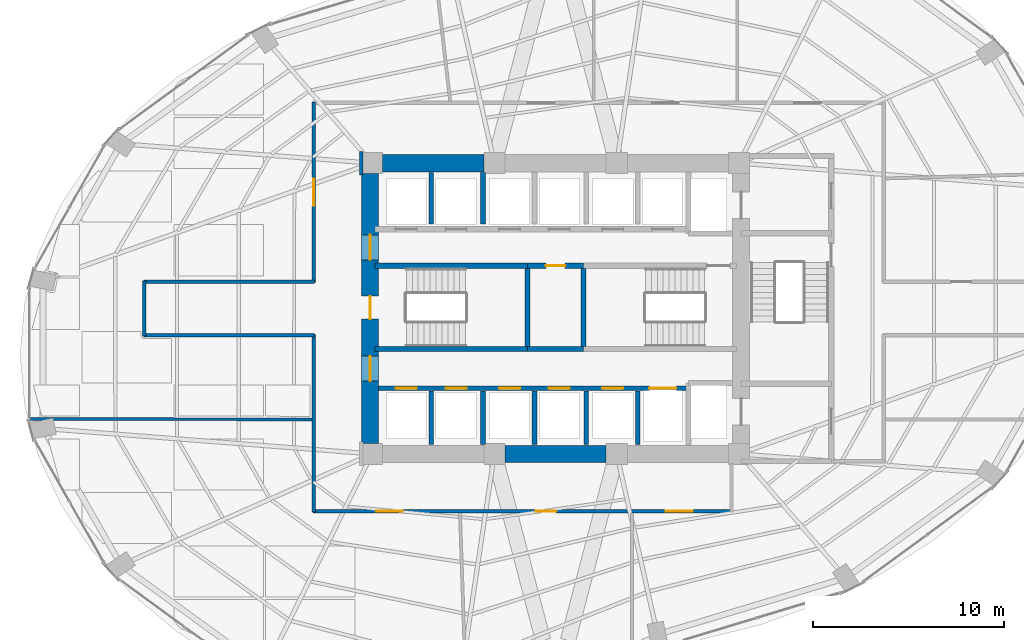
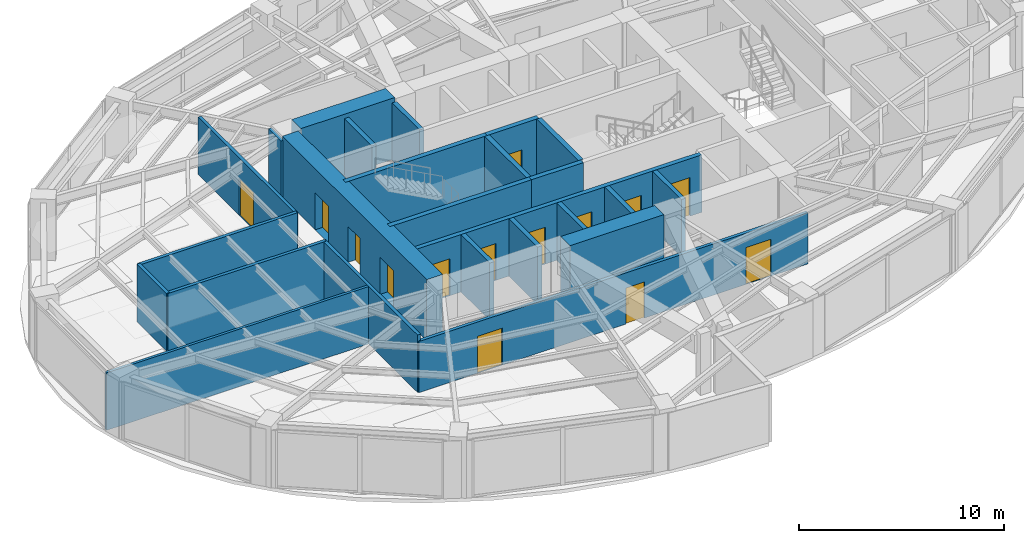
# One storey, part 20 of 24: 25 walls, 14 doors, 14 openings.
"""IFC4 building model written with IfcOpenShell, lengths in metres."""

from ifc_helpers import new_model, si_unit, direction, frame, frame_2d, origin, place, context, subcontext, project, spatial, rectangle, extrude, material, layer, layer_set, type_object, element, fill, save


model = new_model("IFC4")

# Units and contexts
model_context = context("Model", 3, precision=1e-05, world=origin(), true_north=direction((0.0, 1.0)))
body_context = subcontext(model_context, "Body", "Model", "MODEL_VIEW")
ifc_project = project(units=[si_unit("LENGTHUNIT", "METRE"), si_unit("AREAUNIT", "SQUARE_METRE"), si_unit("VOLUMEUNIT", "CUBIC_METRE"), si_unit("PLANEANGLEUNIT", "RADIAN"), si_unit("MASSUNIT", "GRAM", prefix="KILO")], contexts=[model_context])

# Site, building, storey
site_placement = place(None, origin())
site = spatial("IfcSite", under=ifc_project, at=site_placement, CompositionType="ELEMENT")
building_placement = place(site_placement, origin())
building = spatial("IfcBuilding", under=site, at=building_placement, Name="Lazwardi Medical Tower", CompositionType="ELEMENT")
storey_placement = place(building_placement, frame((0.0, 0.0, 68.97607421875)))
storey = spatial("IfcBuildingStorey", under=building, at=storey_placement, Name="L17", CompositionType="ELEMENT", Elevation=68.97607421875)

# Walls
ifc_material_1 = material(Name="Fire-rated gypsum board on steel stud", Category="steel")
ifc_layer_1 = layer(ifc_material_1, 0.179931640625)
ifc_layer_set_1 = layer_set([ifc_layer_1], Name="Fire-rated gypsum board on steel stud")
wall_type_1 = type_object("IfcWallType", Name="WL-COR-180", PredefinedType="PARTITIONING", material=ifc_layer_set_1)
wall_1_placement = place(storey_placement, frame((14.5, 26.56005859375, 0.0), z_axis=(0.0, 0.0, 1.0), x_axis=(0.0, 1.0, 0.0)))
element("IfcWall", 1, at=wall_1_placement, inside=storey, type_object=wall_type_1, Name="L17 Corridor partition 1", PredefinedType="PARTITIONING", context=body_context, shape_type="SweptSolid", body=[
    extrude(rectangle(XDim=2.8798828125, YDim=0.179931640625, at=frame_2d((1.43994140625, 0.0))), origin(), (0.0, 0.0, 1.0), 3.427978515625),
])
wall_2_placement = place(storey_placement, frame((14.4599609375, 29.39990234375, 0.0), z_axis=(0.0, 0.0, 1.0), x_axis=(1.0, 0.0, 0.0)))
element("IfcWall", 2, at=wall_2_placement, inside=storey, type_object=wall_type_1, Name="L17 Corridor partition 2", PredefinedType="PARTITIONING", context=body_context, shape_type="SweptSolid", body=[
    extrude(rectangle(XDim=8.929931640625, YDim=0.179931640625, at=frame_2d((4.46484375, 0.0))), origin(), (0.0, 0.0, 1.0), 3.427978515625),
])

# Wall, opening, door
wall_3_placement = place(storey_placement, frame((23.35009765625, 29.360107421875, 0.0), z_axis=(0.0, 0.0, 1.0), x_axis=(0.0, 1.0, 0.0)))
wall_3 = element("IfcWall", 3, at=wall_3_placement, inside=storey, type_object=wall_type_1, Name="L17 Corridor partition 3", PredefinedType="PARTITIONING", context=body_context, shape_type="SweptSolid", body=[
    extrude(rectangle(XDim=9.429931640625, YDim=0.179931640625, at=frame_2d((4.71484375, 0.0))), origin(), (0.0, 0.0, 1.0), 3.427978515625),
])
opening_1_placement = place(wall_3_placement, frame((4.014892578125, 0.0, 0.0)))
opening_1 = element("IfcOpeningElement", 4, at=opening_1_placement, cuts=wall_3, Name="Opening D-L17-013", PredefinedType="OPENING", context=body_context, shape_type="SweptSolid", body=[
    extrude(rectangle(XDim=1.39990234375, YDim=2.199951171875, at=frame_2d((0.699951171875, 1.10009765625))), frame((0.0, 0.099853515625, 0.0), z_axis=(0.0, -1.0, 0.0), x_axis=(1.0, 0.0, 0.0)), (0.0, 0.0, 1.0), 0.199951171875),
])
ifc_material_2 = material(Name="Anti-microbial laminate hospital leaf")
door_type_1 = type_object("IfcDoorType", Name="DR-BED-1400", OperationType="NOTDEFINED", PredefinedType="DOOR", material=ifc_material_2)
door_1_placement = place(opening_1_placement, origin())
door_1 = element("IfcDoor", 5, at=door_1_placement, inside=storey, type_object=door_type_1, Name="L17 Rehabilitation Gymnasium Door 08", OperationType="SINGLE_SWING_RIGHT", OverallHeight=2.199951171875, OverallWidth=1.39990234375, PredefinedType="DOOR", context=body_context, shape_type="SweptSolid", body=[
    extrude(rectangle(XDim=1.39990234375, YDim=2.199951171875, at=frame_2d((0.699951171875, 1.10009765625))), frame((0.0, 0.02490234375, 0.0), z_axis=(0.0, -1.0, 0.0), x_axis=(1.0, 0.0, 0.0)), (0.0, 0.0, 1.0), 0.050048828125),
])
fill(opening_1, door_1)

# Wall
wall_4_placement = place(storey_placement, frame((25.830078125, 36.2099609375, 0.0), z_axis=(0.0, 0.0, 1.0), x_axis=(0.0, -1.0, 0.0)))
element("IfcWall", 6, at=wall_4_placement, inside=storey, type_object=wall_type_1, Name="L17 Corridor partition 12", PredefinedType="PARTITIONING", context=body_context, shape_type="SweptSolid", body=[
    extrude(rectangle(XDim=1.219970703125, YDim=0.179931640625, at=frame_2d((0.60986328125, 0.0))), origin(), (0.0, 0.0, 1.0), 3.427978515625),
])

# Wall, openings, doors
wall_5_placement = place(storey_placement, frame((45.239990234375, 17.39990234375, 0.0), z_axis=(0.0, 0.0, 1.0), x_axis=(-1.0, 0.0, 0.0)))
wall_5 = element("IfcWall", 7, at=wall_5_placement, inside=storey, type_object=wall_type_1, Name="L17 Corridor partition 15", PredefinedType="PARTITIONING", context=body_context, shape_type="SweptSolid", body=[
    extrude(rectangle(XDim=21.929931640625, YDim=0.179931640625, at=frame_2d((10.96484375, 0.0))), origin(), (0.0, 0.0, 1.0), 3.052978515625),
])
opening_2_placement = place(wall_5_placement, frame((17.224609375, 0.0, 0.0)))
opening_2 = element("IfcOpeningElement", 8, at=opening_2_placement, cuts=wall_5, Name="Opening D-L17-006", PredefinedType="OPENING", context=body_context, shape_type="SweptSolid", body=[
    extrude(rectangle(XDim=1.39990234375, YDim=2.199951171875, at=frame_2d((0.699951171875, 1.10009765625))), frame((0.0, 0.099853515625, 0.0), z_axis=(0.0, -1.0, 0.0), x_axis=(1.0, 0.0, 0.0)), (0.0, 0.0, 1.0), 0.199951171875),
])
opening_3_placement = place(wall_5_placement, frame((9.213623046875, 0.0, 0.0)))
opening_3 = element("IfcOpeningElement", 9, at=opening_3_placement, cuts=wall_5, Name="Opening D-L17-007", PredefinedType="OPENING", context=body_context, shape_type="SweptSolid", body=[
    extrude(rectangle(XDim=1.050048828125, YDim=2.14990234375, at=frame_2d((0.52490234375, 1.074951171875))), frame((0.0, 0.099853515625, 0.0), z_axis=(0.0, -1.0, 0.0), x_axis=(1.0, 0.0, 0.0)), (0.0, 0.0, 1.0), 0.199951171875),
])
opening_4_placement = place(wall_5_placement, frame((2.0791015625, 0.0, 0.0)))
opening_4 = element("IfcOpeningElement", 10, at=opening_4_placement, cuts=wall_5, Name="Opening D-L17-008", PredefinedType="OPENING", context=body_context, shape_type="SweptSolid", body=[
    extrude(rectangle(XDim=1.39990234375, YDim=2.199951171875, at=frame_2d((0.699951171875, 1.10009765625))), frame((0.0, 0.099853515625, 0.0), z_axis=(0.0, -1.0, 0.0), x_axis=(1.0, 0.0, 0.0)), (0.0, 0.0, 1.0), 0.199951171875),
])
door_2_placement = place(opening_2_placement, origin())
door_2 = element("IfcDoor", 11, at=door_2_placement, inside=storey, type_object=door_type_1, Name="L17 Rehabilitation Gymnasium Door 01", OperationType="SINGLE_SWING_LEFT", OverallHeight=2.199951171875, OverallWidth=1.39990234375, PredefinedType="DOOR", context=body_context, shape_type="SweptSolid", body=[
    extrude(rectangle(XDim=1.39990234375, YDim=2.199951171875, at=frame_2d((0.699951171875, 1.10009765625))), frame((0.0, 0.02490234375, 0.0), z_axis=(0.0, -1.0, 0.0), x_axis=(1.0, 0.0, 0.0)), (0.0, 0.0, 1.0), 0.050048828125),
])
fill(opening_2, door_2)
door_3_placement = place(opening_4_placement, origin())
door_3 = element("IfcDoor", 12, at=door_3_placement, inside=storey, type_object=door_type_1, Name="L17 Inpatient Ward Door 03", OperationType="SINGLE_SWING_LEFT", OverallHeight=2.199951171875, OverallWidth=1.39990234375, PredefinedType="DOOR", context=body_context, shape_type="SweptSolid", body=[
    extrude(rectangle(XDim=1.39990234375, YDim=2.199951171875, at=frame_2d((0.699951171875, 1.10009765625))), frame((0.0, 0.02490234375, 0.0), z_axis=(0.0, -1.0, 0.0), x_axis=(1.0, 0.0, 0.0)), (0.0, 0.0, 1.0), 0.050048828125),
])
fill(opening_4, door_3)
door_type_2 = type_object("IfcDoorType", Name="DR-CLN-1050", OperationType="NOTDEFINED", PredefinedType="DOOR", material=ifc_material_2)
door_4_placement = place(opening_3_placement, origin())
door_4 = element("IfcDoor", 13, at=door_4_placement, inside=storey, type_object=door_type_2, Name="L17 Outpatient Clinic Door 02", OperationType="SINGLE_SWING_RIGHT", OverallHeight=2.14990234375, OverallWidth=1.050048828125, PredefinedType="DOOR", context=body_context, shape_type="SweptSolid", body=[
    extrude(rectangle(XDim=1.050048828125, YDim=2.14990234375, at=frame_2d((0.52490234375, 1.074951171875))), frame((0.0, 0.02490234375, 0.0), z_axis=(0.0, -1.0, 0.0), x_axis=(1.0, 0.0, 0.0)), (0.0, 0.0, 1.0), 0.050048828125),
])
fill(opening_3, door_4)

# Walls
wall_6_placement = place(storey_placement, frame((23.35009765625, 17.360107421875, 0.0), z_axis=(0.0, 0.0, 1.0), x_axis=(0.0, 1.0, 0.0)))
element("IfcWall", 14, at=wall_6_placement, inside=storey, type_object=wall_type_1, Name="L17 Corridor partition 16", PredefinedType="PARTITIONING", context=body_context, shape_type="SweptSolid", body=[
    extrude(rectangle(XDim=9.27978515625, YDim=0.179931640625, at=frame_2d((4.639892578125, 0.0))), origin(), (0.0, 0.0, 1.0), 3.427978515625),
])
wall_7_placement = place(storey_placement, frame((23.389892578125, 26.60009765625, 0.0), z_axis=(0.0, 0.0, 1.0), x_axis=(-1.0, 0.0, 0.0)))
element("IfcWall", 15, at=wall_7_placement, inside=storey, type_object=wall_type_1, Name="L17 Corridor partition 17", PredefinedType="PARTITIONING", context=body_context, shape_type="SweptSolid", body=[
    extrude(rectangle(XDim=8.929931640625, YDim=0.179931640625, at=frame_2d((4.46484375, 0.0))), origin(), (0.0, 0.0, 1.0), 3.427978515625),
])

# Wall, openings, doors
ifc_material_3 = material(Name="Concrete C80/95", Category="concrete")
ifc_layer_2 = layer(ifc_material_3, 0.89990234375)
ifc_layer_set_2 = layer_set([ifc_layer_2], Name="Concrete C80/95")
wall_type_2 = type_object("IfcWallType", Name="WL-CORE-900", PredefinedType="SHEAR", material=ifc_layer_set_2)
wall_8_placement = place(storey_placement, frame((26.300048828125, 20.949951171875, 0.0), z_axis=(0.0, 0.0, 1.0), x_axis=(0.0, 1.0, 0.0)))
wall_8 = element("IfcWall", 16, at=wall_8_placement, inside=storey, type_object=wall_type_2, Name="Core wall CW-S1 west L17", PredefinedType="SHEAR", context=body_context, shape_type="SweptSolid", body=[
    extrude(rectangle(XDim=14.10009765625, YDim=0.89990234375, at=frame_2d((7.050048828125, 0.0))), origin(), (0.0, 0.0, 1.0), 3.64794921875),
])
opening_5_placement = place(wall_8_placement, frame((6.5, 0.0, 0.0)))
opening_5 = element("IfcOpeningElement", 17, at=opening_5_placement, cuts=wall_8, Name="Opening D-L17-014", PredefinedType="OPENING", context=body_context, shape_type="SweptSolid", body=[
    extrude(rectangle(XDim=1.199951171875, YDim=2.14990234375, at=frame_2d((0.60009765625, 1.074951171875))), frame((0.0, 0.4599609375, 0.0), z_axis=(0.0, -1.0, 0.0), x_axis=(1.0, 0.0, 0.0)), (0.0, 0.0, 1.0), 0.919921875),
])
opening_6_placement = place(wall_8_placement, frame((9.60009765625, 0.0, 0.0)))
opening_6 = element("IfcOpeningElement", 18, at=opening_6_placement, cuts=wall_8, Name="Opening D-L17-004", PredefinedType="OPENING", context=body_context, shape_type="SweptSolid", body=[
    extrude(rectangle(XDim=1.300048828125, YDim=2.199951171875, at=frame_2d((0.64990234375, 1.10009765625))), frame((0.0, 0.4599609375, 0.0), z_axis=(0.0, -1.0, 0.0), x_axis=(1.0, 0.0, 0.0)), (0.0, 0.0, 1.0), 0.919921875),
])
opening_7_placement = place(wall_8_placement, frame((3.260009765625, 0.0, 0.0)))
opening_7 = element("IfcOpeningElement", 19, at=opening_7_placement, cuts=wall_8, Name="Opening D-L17-005", PredefinedType="OPENING", context=body_context, shape_type="SweptSolid", body=[
    extrude(rectangle(XDim=1.300048828125, YDim=2.199951171875, at=frame_2d((0.64990234375, 1.10009765625))), frame((0.0, 0.4599609375, 0.0), z_axis=(0.0, -1.0, 0.0), x_axis=(1.0, 0.0, 0.0)), (0.0, 0.0, 1.0), 0.919921875),
])
ifc_material_4 = material(Name="Fire-rated steel leaf and frame", Category="steel")
door_type_3 = type_object("IfcDoorType", Name="DR-FFL-1300", OperationType="NOTDEFINED", PredefinedType="DOOR", material=ifc_material_4)
door_5_placement = place(opening_6_placement, origin())
door_5 = element("IfcDoor", 20, at=door_5_placement, inside=storey, type_object=door_type_3, Name="L17 North Lift Lobby Door", OperationType="SINGLE_SWING_RIGHT", OverallHeight=2.199951171875, OverallWidth=1.300048828125, PredefinedType="DOOR", context=body_context, shape_type="SweptSolid", body=[
    extrude(rectangle(XDim=1.300048828125, YDim=2.199951171875, at=frame_2d((0.64990234375, 1.10009765625))), frame((0.0, 0.02490234375, 0.0), z_axis=(0.0, -1.0, 0.0), x_axis=(1.0, 0.0, 0.0)), (0.0, 0.0, 1.0), 0.050048828125),
])
fill(opening_6, door_5)
door_6_placement = place(opening_7_placement, origin())
door_6 = element("IfcDoor", 21, at=door_6_placement, inside=storey, type_object=door_type_3, Name="L17 South Lift Lobby Door", OperationType="SINGLE_SWING_LEFT", OverallHeight=2.199951171875, OverallWidth=1.300048828125, PredefinedType="DOOR", context=body_context, shape_type="SweptSolid", body=[
    extrude(rectangle(XDim=1.300048828125, YDim=2.199951171875, at=frame_2d((0.64990234375, 1.10009765625))), frame((0.0, 0.02490234375, 0.0), z_axis=(0.0, -1.0, 0.0), x_axis=(1.0, 0.0, 0.0)), (0.0, 0.0, 1.0), 0.050048828125),
])
fill(opening_7, door_6)
door_type_4 = type_object("IfcDoorType", Name="DR-STR-1200", OperationType="NOTDEFINED", PredefinedType="DOOR", material=ifc_material_4)
door_7_placement = place(opening_5_placement, origin())
door_7 = element("IfcDoor", 22, at=door_7_placement, inside=storey, type_object=door_type_4, Name="L17 Exit Stair ST1 Door", OperationType="SINGLE_SWING_LEFT", OverallHeight=2.14990234375, OverallWidth=1.199951171875, PredefinedType="DOOR", context=body_context, shape_type="SweptSolid", body=[
    extrude(rectangle(XDim=1.199951171875, YDim=2.14990234375, at=frame_2d((0.60009765625, 1.074951171875))), frame((0.0, 0.02490234375, 0.0), z_axis=(0.0, -1.0, 0.0), x_axis=(1.0, 0.0, 0.0)), (0.0, 0.0, 1.0), 0.050048828125),
])
fill(opening_5, door_7)

# Walls
wall_9_placement = place(storey_placement, frame((26.949951171875, 35.60009765625, 0.0), z_axis=(0.0, 0.0, 1.0), x_axis=(1.0, 0.0, 0.0)))
element("IfcWall", 23, at=wall_9_placement, inside=storey, type_object=wall_type_2, Name="Core wall CW-S1 N1 L17", PredefinedType="SHEAR", context=body_context, shape_type="SweptSolid", body=[
    extrude(rectangle(XDim=5.300048828125, YDim=0.89990234375, at=frame_2d((2.64990234375, 0.0))), origin(), (0.0, 0.0, 1.0), 3.64794921875),
])
wall_10_placement = place(storey_placement, frame((33.35009765625, 20.39990234375, 0.0), z_axis=(0.0, 0.0, 1.0), x_axis=(1.0, 0.0, 0.0)))
element("IfcWall", 24, at=wall_10_placement, inside=storey, type_object=wall_type_2, Name="Core wall CW-S1 S2 L17", PredefinedType="SHEAR", context=body_context, shape_type="SweptSolid", body=[
    extrude(rectangle(XDim=5.2998046875, YDim=0.89990234375, at=frame_2d((2.64990234375, 0.0))), origin(), (0.0, 0.0, 1.0), 3.64794921875),
])

# Wall, openings, doors
ifc_material_5 = material(Name="Autoclaved aerated concrete blockwork", Category="masonry")
ifc_layer_3 = layer(ifc_material_5, 0.25)
ifc_layer_set_3 = layer_set([ifc_layer_3], Name="Autoclaved aerated concrete blockwork")
wall_type_3 = type_object("IfcWallType", Name="WL-SHAFT-250", PredefinedType="SOLIDWALL", material=ifc_layer_set_3)
wall_11_placement = place(storey_placement, frame((26.75, 23.830078125, 0.0), z_axis=(0.0, 0.0, 1.0), x_axis=(1.0, 0.0, 0.0)))
wall_11 = element("IfcWall", 25, at=wall_11_placement, inside=storey, type_object=wall_type_3, Name="L17 South lift bank front wall", PredefinedType="SOLIDWALL", context=body_context, shape_type="SweptSolid", body=[
    extrude(rectangle(XDim=16.199951171875, YDim=0.25, at=frame_2d((8.10009765625, 0.0))), origin(), (0.0, 0.0, 1.0), 3.427978515625),
])
opening_8_placement = place(wall_11_placement, frame((0.89990234375, 0.0, 0.0)))
opening_8 = element("IfcOpeningElement", 26, at=opening_8_placement, cuts=wall_11, Name="Opening LD-L17-006", PredefinedType="OPENING", context=body_context, shape_type="SweptSolid", body=[
    extrude(rectangle(XDim=1.10009765625, YDim=2.199951171875, at=frame_2d((0.550048828125, 1.10009765625))), frame((0.0, 0.135009765625, 0.0), z_axis=(0.0, -1.0, 0.0), x_axis=(1.0, 0.0, 0.0)), (0.0, 0.0, 1.0), 0.27001953125),
])
opening_9_placement = place(wall_11_placement, frame((3.5, 0.0, 0.0)))
opening_9 = element("IfcOpeningElement", 27, at=opening_9_placement, cuts=wall_11, Name="Opening LD-L17-007", PredefinedType="OPENING", context=body_context, shape_type="SweptSolid", body=[
    extrude(rectangle(XDim=1.10009765625, YDim=2.199951171875, at=frame_2d((0.550048828125, 1.10009765625))), frame((0.0, 0.135009765625, 0.0), z_axis=(0.0, -1.0, 0.0), x_axis=(1.0, 0.0, 0.0)), (0.0, 0.0, 1.0), 0.27001953125),
])
opening_10_placement = place(wall_11_placement, frame((6.300048828125, 0.0, 0.0)))
opening_10 = element("IfcOpeningElement", 28, at=opening_10_placement, cuts=wall_11, Name="Opening LD-L17-010", PredefinedType="OPENING", context=body_context, shape_type="SweptSolid", body=[
    extrude(rectangle(XDim=1.10009765625, YDim=2.199951171875, at=frame_2d((0.550048828125, 1.10009765625))), frame((0.0, 0.135009765625, 0.0), z_axis=(0.0, -1.0, 0.0), x_axis=(1.0, 0.0, 0.0)), (0.0, 0.0, 1.0), 0.27001953125),
])
opening_11_placement = place(wall_11_placement, frame((8.89990234375, 0.0, 0.0)))
opening_11 = element("IfcOpeningElement", 29, at=opening_11_placement, cuts=wall_11, Name="Opening LD-L17-011", PredefinedType="OPENING", context=body_context, shape_type="SweptSolid", body=[
    extrude(rectangle(XDim=1.10009765625, YDim=2.199951171875, at=frame_2d((0.550048828125, 1.10009765625))), frame((0.0, 0.135009765625, 0.0), z_axis=(0.0, -1.0, 0.0), x_axis=(1.0, 0.0, 0.0)), (0.0, 0.0, 1.0), 0.27001953125),
])
opening_12_placement = place(wall_11_placement, frame((11.699951171875, 0.0, 0.0)))
opening_12 = element("IfcOpeningElement", 30, at=opening_12_placement, cuts=wall_11, Name="Opening LD-L17-014", PredefinedType="OPENING", context=body_context, shape_type="SweptSolid", body=[
    extrude(rectangle(XDim=1.10009765625, YDim=2.199951171875, at=frame_2d((0.550048828125, 1.10009765625))), frame((0.0, 0.135009765625, 0.0), z_axis=(0.0, -1.0, 0.0), x_axis=(1.0, 0.0, 0.0)), (0.0, 0.0, 1.0), 0.27001953125),
])
opening_13_placement = place(wall_11_placement, frame((14.14990234375, 0.0, 0.0)))
opening_13 = element("IfcOpeningElement", 31, at=opening_13_placement, cuts=wall_11, Name="Opening LD-L17-003", PredefinedType="OPENING", context=body_context, shape_type="SweptSolid", body=[
    extrude(rectangle(XDim=1.39990234375, YDim=2.300048828125, at=frame_2d((0.699951171875, 1.14990234375))), frame((0.0, 0.135009765625, 0.0), z_axis=(0.0, -1.0, 0.0), x_axis=(1.0, 0.0, 0.0)), (0.0, 0.0, 1.0), 0.27001953125),
])
ifc_material_6 = material(Name="Brushed bronze stainless steel landing door", Category="steel")
door_type_5 = type_object("IfcDoorType", Name="DR-LFT-1100", OperationType="NOTDEFINED", PredefinedType="DOOR", material=ifc_material_6)
door_8_placement = place(opening_8_placement, origin())
door_8 = element("IfcDoor", 32, at=door_8_placement, inside=storey, type_object=door_type_5, Name="L17 Lift Landing Door PL-03", OperationType="SLIDING_TO_LEFT", OverallHeight=2.199951171875, OverallWidth=1.10009765625, PredefinedType="DOOR", context=body_context, shape_type="SweptSolid", body=[
    extrude(rectangle(XDim=1.10009765625, YDim=2.199951171875, at=frame_2d((0.550048828125, 1.10009765625))), frame((0.0, 0.02490234375, 0.0), z_axis=(0.0, -1.0, 0.0), x_axis=(1.0, 0.0, 0.0)), (0.0, 0.0, 1.0), 0.050048828125),
])
fill(opening_8, door_8)
door_9_placement = place(opening_9_placement, origin())
door_9 = element("IfcDoor", 33, at=door_9_placement, inside=storey, type_object=door_type_5, Name="L17 Lift Landing Door PL-04", OperationType="SLIDING_TO_LEFT", OverallHeight=2.199951171875, OverallWidth=1.10009765625, PredefinedType="DOOR", context=body_context, shape_type="SweptSolid", body=[
    extrude(rectangle(XDim=1.10009765625, YDim=2.199951171875, at=frame_2d((0.550048828125, 1.10009765625))), frame((0.0, 0.02490234375, 0.0), z_axis=(0.0, -1.0, 0.0), x_axis=(1.0, 0.0, 0.0)), (0.0, 0.0, 1.0), 0.050048828125),
])
fill(opening_9, door_9)
door_10_placement = place(opening_10_placement, origin())
door_10 = element("IfcDoor", 34, at=door_10_placement, inside=storey, type_object=door_type_5, Name="L17 Lift Landing Door PL-07", OperationType="SLIDING_TO_LEFT", OverallHeight=2.199951171875, OverallWidth=1.10009765625, PredefinedType="DOOR", context=body_context, shape_type="SweptSolid", body=[
    extrude(rectangle(XDim=1.10009765625, YDim=2.199951171875, at=frame_2d((0.550048828125, 1.10009765625))), frame((0.0, 0.02490234375, 0.0), z_axis=(0.0, -1.0, 0.0), x_axis=(1.0, 0.0, 0.0)), (0.0, 0.0, 1.0), 0.050048828125),
])
fill(opening_10, door_10)
door_11_placement = place(opening_11_placement, origin())
door_11 = element("IfcDoor", 35, at=door_11_placement, inside=storey, type_object=door_type_5, Name="L17 Lift Landing Door PL-08", OperationType="SLIDING_TO_LEFT", OverallHeight=2.199951171875, OverallWidth=1.10009765625, PredefinedType="DOOR", context=body_context, shape_type="SweptSolid", body=[
    extrude(rectangle(XDim=1.10009765625, YDim=2.199951171875, at=frame_2d((0.550048828125, 1.10009765625))), frame((0.0, 0.02490234375, 0.0), z_axis=(0.0, -1.0, 0.0), x_axis=(1.0, 0.0, 0.0)), (0.0, 0.0, 1.0), 0.050048828125),
])
fill(opening_11, door_11)
door_12_placement = place(opening_12_placement, origin())
door_12 = element("IfcDoor", 36, at=door_12_placement, inside=storey, type_object=door_type_5, Name="L17 Lift Landing Door PL-11", OperationType="SLIDING_TO_LEFT", OverallHeight=2.199951171875, OverallWidth=1.10009765625, PredefinedType="DOOR", context=body_context, shape_type="SweptSolid", body=[
    extrude(rectangle(XDim=1.10009765625, YDim=2.199951171875, at=frame_2d((0.550048828125, 1.10009765625))), frame((0.0, 0.02490234375, 0.0), z_axis=(0.0, -1.0, 0.0), x_axis=(1.0, 0.0, 0.0)), (0.0, 0.0, 1.0), 0.050048828125),
])
fill(opening_12, door_12)
ifc_material_7 = material(Name="Brushed stainless steel bed-lift landing door", Category="steel")
door_type_6 = type_object("IfcDoorType", Name="DR-LFT-1400", OperationType="NOTDEFINED", PredefinedType="DOOR", material=ifc_material_7)
door_13_placement = place(opening_13_placement, origin())
door_13 = element("IfcDoor", 37, at=door_13_placement, inside=storey, type_object=door_type_6, Name="L17 Lift Landing Door FL-03", OperationType="SLIDING_TO_LEFT", OverallHeight=2.300048828125, OverallWidth=1.39990234375, PredefinedType="DOOR", context=body_context, shape_type="SweptSolid", body=[
    extrude(rectangle(XDim=1.39990234375, YDim=2.300048828125, at=frame_2d((0.699951171875, 1.14990234375))), frame((0.0, 0.02490234375, 0.0), z_axis=(0.0, -1.0, 0.0), x_axis=(1.0, 0.0, 0.0)), (0.0, 0.0, 1.0), 0.050048828125),
])
fill(opening_13, door_13)

# Walls
wall_12_placement = place(storey_placement, frame((29.5, 32.419921875, 0.0), z_axis=(0.0, 0.0, 1.0), x_axis=(0.0, 1.0, 0.0)))
element("IfcWall", 38, at=wall_12_placement, inside=storey, type_object=wall_type_3, Name="L17 North hoistway divider", PredefinedType="SOLIDWALL", context=body_context, shape_type="SweptSolid", body=[
    extrude(rectangle(XDim=2.68017578125, YDim=0.25, at=frame_2d((1.340087890625, 0.0))), origin(), (0.0, 0.0, 1.0), 3.427978515625),
])
wall_13_placement = place(storey_placement, frame((29.5, 20.89990234375, 0.0), z_axis=(0.0, 0.0, 1.0), x_axis=(0.0, 1.0, 0.0)))
element("IfcWall", 39, at=wall_13_placement, inside=storey, type_object=wall_type_3, Name="L17 South hoistway divider", PredefinedType="SOLIDWALL", context=body_context, shape_type="SweptSolid", body=[
    extrude(rectangle(XDim=2.800048828125, YDim=0.25, at=frame_2d((1.39990234375, 0.0))), origin(), (0.0, 0.0, 1.0), 3.427978515625),
])
wall_14_placement = place(storey_placement, frame((32.199951171875, 32.419921875, 0.0), z_axis=(0.0, 0.0, 1.0), x_axis=(0.0, 1.0, 0.0)))
element("IfcWall", 40, at=wall_14_placement, inside=storey, type_object=wall_type_3, Name="L17 North hoistway divider", PredefinedType="SOLIDWALL", context=body_context, shape_type="SweptSolid", body=[
    extrude(rectangle(XDim=2.68017578125, YDim=0.25, at=frame_2d((1.340087890625, 0.0))), origin(), (0.0, 0.0, 1.0), 3.427978515625),
])
for number, where, z_axis, x_axis, name in (
    (41, (32.199951171875, 20.89990234375, 0.0), (0.0, 0.0, 1.0), (0.0, 1.0, 0.0), "L17 South hoistway divider"),
    (42, (34.89990234375, 20.89990234375, 0.0), (0.0, 0.0, 1.0), (0.0, 1.0, 0.0), "L17 South hoistway divider"),
    (43, (37.60009765625, 20.89990234375, 0.0), (0.0, 0.0, 1.0), (0.0, 1.0, 0.0), "L17 South hoistway divider"),
    (44, (40.300048828125, 20.89990234375, 0.0), (0.0, 0.0, 1.0), (0.0, 1.0, 0.0), "L17 South hoistway divider"),
):
    element("IfcWall", number, at=place(storey_placement, frame(where, z_axis=z_axis, x_axis=x_axis)), inside=storey, type_object=wall_type_3, Name=name, PredefinedType="SOLIDWALL", context=body_context, shape_type="SweptSolid", body=[
        extrude(rectangle(XDim=2.800048828125, YDim=0.25, at=frame_2d((1.39990234375, 0.0))), origin(), (0.0, 0.0, 1.0), 3.427978515625),
    ])
ifc_material_8 = material(Name="Concrete C50/60", Category="concrete")
ifc_layer_4 = layer(ifc_material_8, 0.27001953125)
ifc_layer_set_4 = layer_set([ifc_layer_4], Name="Concrete C50/60")
wall_type_4 = type_object("IfcWallType", Name="WL-STR-250", PredefinedType="SHEAR", material=ifc_layer_set_4)
wall_15_placement = place(storey_placement, frame((26.550048828125, 30.235107421875, 0.0), z_axis=(0.0, 0.0, 1.0), x_axis=(1.0, 0.0, 0.0)))
element("IfcWall", 45, at=wall_15_placement, inside=storey, type_object=wall_type_4, Name="L17 ST1 North shear shaft wall SW-S1", PredefinedType="SHEAR", context=body_context, shape_type="SweptSolid", body=[
    extrude(rectangle(XDim=7.98486328125, YDim=0.27001953125, at=frame_2d((3.992431640625, 0.0))), origin(), (0.0, 0.0, 1.0), 3.64794921875),
])

# Wall, opening, door
wall_16_placement = place(storey_placement, frame((34.534912109375, 30.235107421875, 0.0), z_axis=(0.0, 0.0, 1.0), x_axis=(1.0, 0.0, 0.0)))
wall_16 = element("IfcWall", 46, at=wall_16_placement, inside=storey, type_object=wall_type_4, Name="L17 Core service North shear wall SW-S1", PredefinedType="SHEAR", context=body_context, shape_type="SweptSolid", body=[
    extrude(rectangle(XDim=2.93017578125, YDim=0.27001953125, at=frame_2d((1.465087890625, 0.0))), origin(), (0.0, 0.0, 1.0), 3.64794921875),
])
opening_14_placement = place(wall_16_placement, frame((0.965087890625, 0.0, 0.0)))
opening_14 = element("IfcOpeningElement", 47, at=opening_14_placement, cuts=wall_16, Name="Opening D-L17-001", PredefinedType="OPENING", context=body_context, shape_type="SweptSolid", body=[
    extrude(rectangle(XDim=1.0, YDim=2.10009765625, at=frame_2d((0.5, 1.050048828125))), frame((0.0, 0.14501953125, 0.0), z_axis=(0.0, -1.0, 0.0), x_axis=(1.0, 0.0, 0.0)), (0.0, 0.0, 1.0), 0.2900390625),
])
ifc_material_9 = material(Name="Moisture-resistant laminate door leaf")
door_type_7 = type_object("IfcDoorType", Name="DR-AWC-1000", OperationType="NOTDEFINED", PredefinedType="DOOR", material=ifc_material_9)
door_14_placement = place(opening_14_placement, origin())
door_14 = element("IfcDoor", 48, at=door_14_placement, inside=storey, type_object=door_type_7, Name="L17 Accessible WC Door", OperationType="SINGLE_SWING_LEFT", OverallHeight=2.10009765625, OverallWidth=1.0, PredefinedType="DOOR", context=body_context, shape_type="SweptSolid", body=[
    extrude(rectangle(XDim=1.0, YDim=2.10009765625, at=frame_2d((0.5, 1.050048828125))), frame((0.0, 0.02490234375, 0.0), z_axis=(0.0, -1.0, 0.0), x_axis=(1.0, 0.0, 0.0)), (0.0, 0.0, 1.0), 0.050048828125),
])
fill(opening_14, door_14)

# Walls
wall_17_placement = place(storey_placement, frame((26.550048828125, 25.885009765625, 0.0), z_axis=(0.0, 0.0, 1.0), x_axis=(1.0, 0.0, 0.0)))
element("IfcWall", 49, at=wall_17_placement, inside=storey, type_object=wall_type_4, Name="L17 ST1 South shear shaft wall SW-S1", PredefinedType="SHEAR", context=body_context, shape_type="SweptSolid", body=[
    extrude(rectangle(XDim=7.98486328125, YDim=0.27001953125, at=frame_2d((3.992431640625, 0.0))), origin(), (0.0, 0.0, 1.0), 3.64794921875),
])
wall_18_placement = place(storey_placement, frame((34.534912109375, 25.885009765625, 0.0), z_axis=(0.0, 0.0, 1.0), x_axis=(1.0, 0.0, 0.0)))
element("IfcWall", 50, at=wall_18_placement, inside=storey, type_object=wall_type_4, Name="L17 Core service South shear wall SW-S1", PredefinedType="SHEAR", context=body_context, shape_type="SweptSolid", body=[
    extrude(rectangle(XDim=2.93017578125, YDim=0.27001953125, at=frame_2d((1.465087890625, 0.0))), origin(), (0.0, 0.0, 1.0), 3.64794921875),
])
for number, where, z_axis, x_axis, name in (
    (51, (34.534912109375, 26.02001953125, 0.0), (0.0, 0.0, 1.0), (0.0, 1.0, 0.0), "L17 ST1 East shear shaft wall SW-S1"),
    (52, (37.465087890625, 26.02001953125, 0.0), (0.0, 0.0, 1.0), (0.0, 1.0, 0.0), "L17 ST2 West shear shaft wall SW-S1"),
):
    element("IfcWall", number, at=place(storey_placement, frame(where, z_axis=z_axis, x_axis=x_axis)), inside=storey, type_object=wall_type_4, Name=name, PredefinedType="SHEAR", context=body_context, shape_type="SweptSolid", body=[
        extrude(rectangle(XDim=4.080078125, YDim=0.27001953125, at=frame_2d((2.0400390625, 0.0))), origin(), (0.0, 0.0, 1.0), 3.64794921875),
    ])
ifc_material_10 = material(Name="Acoustic gypsum board partition")
ifc_layer_5 = layer(ifc_material_10, 0.14990234375)
ifc_layer_set_5 = layer_set([ifc_layer_5], Name="Acoustic gypsum board partition")
wall_type_5 = type_object("IfcWallType", Name="WL-WRD-150", PredefinedType="PARTITIONING", material=ifc_layer_set_5)
wall_19_placement = place(storey_placement, frame((8.492919921875, 22.2314453125, 0.0), z_axis=(0.0, 0.0, 1.0), x_axis=(0.999997760873, -0.002116187438, 0.0)))
element("IfcWall", 53, at=wall_19_placement, inside=storey, type_object=wall_type_5, Name="L17 Room partition 1", PredefinedType="PARTITIONING", context=body_context, shape_type="SweptSolid", body=[
    extrude(rectangle(XDim=14.76708984375, YDim=0.14990234375, at=frame_2d((7.383544921875, 0.0))), origin(), (0.0, 0.0, 1.0), 3.427978515625),
])

save(model, "model.ifc")
